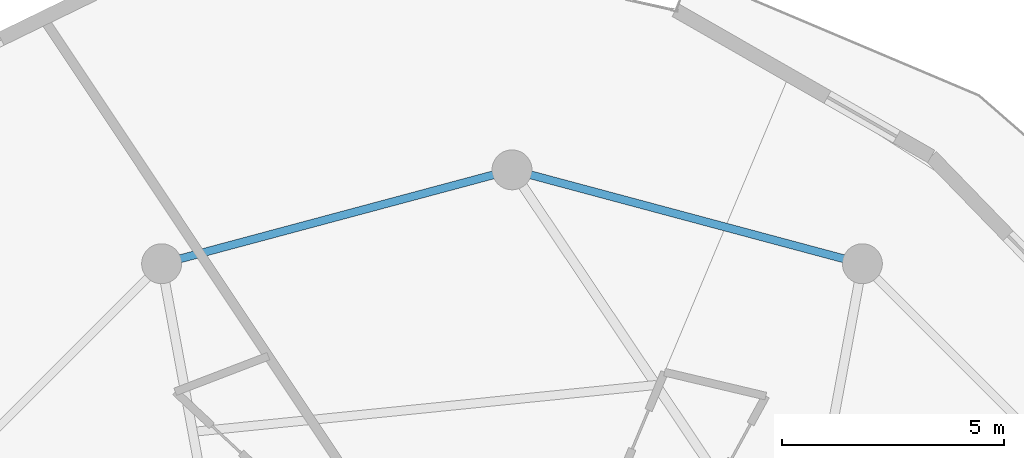
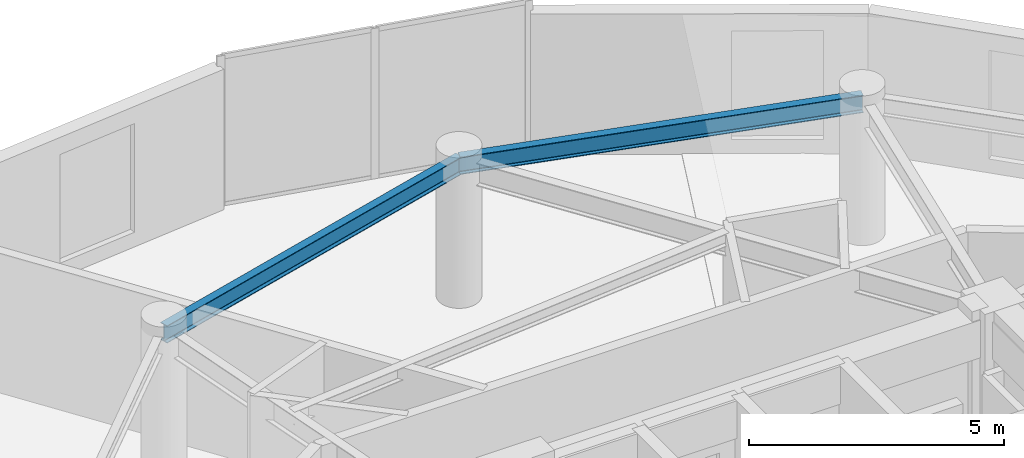
# One storey, part 15 of 23: 2 beams.
"""IFC4 building model written with IfcOpenShell, lengths in metres."""

import ifcopenshell
import ifcopenshell.guid

model = None  # the IFC model being written
_history = None  # IfcOwnerHistory: only IFC2X3 demands one
_inside = {}  # id of a spatial element -> (the spatial element, [elements in it])
_under = {}  # id of a project, library or spatial element -> (it, [spatial elements below it])
_declared = {}  # id of a project -> (the project, [libraries it declares])
_typed = {}  # id of a type object -> (the type object, [elements of that type])
_made_of = {}  # id of a material, layer set ... -> (it, [elements and type objects made of it])


def new_model(schema):
    """Start an empty IFC model of exactly this schema.

    Asked for "IFC4X3", IfcOpenShell would pick the latest addendum, in which some entities
    have other attributes; the version numbers below select the first issue.
    IFC2X3 requires an IfcOwnerHistory on every rooted entity: one is made here for all.
    """
    global model, _history
    if schema == "IFC4X3":
        model = ifcopenshell.file(schema_version=(4, 3, 0, 0))
    else:
        model = ifcopenshell.file(schema=schema)
    _inside.clear()
    _under.clear()
    _declared.clear()
    _typed.clear()
    _made_of.clear()
    _history = None
    if model.schema == "IFC2X3":
        org = make("IfcOrganization", Name="unknown")
        user = make(
            "IfcPersonAndOrganization",
            ThePerson=make("IfcPerson", FamilyName="unknown"),
            TheOrganization=org,
        )
        app = make(
            "IfcApplication",
            ApplicationDeveloper=org,
            Version="unknown",
            ApplicationFullName="unknown",
            ApplicationIdentifier="unknown",
        )
        _history = make(
            "IfcOwnerHistory",
            OwningUser=user,
            OwningApplication=app,
            ChangeAction="ADDED",
            CreationDate=0,
        )
    return model


def make(cls, **values):
    """One entity of the class cls with the attributes given. An attribute that is None is left unset."""
    return model.create_entity(
        cls, **{name: value for name, value in values.items() if value is not None}
    )


def rooted(cls, **values):
    """An entity with a GlobalId (a new one), such as an element, a storey or a relation."""
    return make(cls, GlobalId=ifcopenshell.guid.new(), OwnerHistory=_history, **values)


def si_unit(unit_type, name, prefix=None):
    """IfcSIUnit, for example si_unit("LENGTHUNIT", "METRE", prefix="MILLI")."""
    return make("IfcSIUnit", UnitType=unit_type, Prefix=prefix, Name=name)


def assignment(units):
    """IfcUnitAssignment: the units of a project."""
    return None if units is None else make("IfcUnitAssignment", Units=units)


def point(xyz):
    """IfcCartesianPoint."""
    return None if xyz is None else make("IfcCartesianPoint", Coordinates=xyz)


def direction(xyz):
    """IfcDirection."""
    return None if xyz is None else make("IfcDirection", DirectionRatios=xyz)


def frame(location, z_axis=None, x_axis=None):
    """IfcAxis2Placement3D, a coordinate frame: its origin and axes. An axis left out is left unset."""
    return make(
        "IfcAxis2Placement3D",
        Location=point(location),
        Axis=direction(z_axis),
        RefDirection=direction(x_axis),
    )


def frame_2d(location, x_axis=None):
    """IfcAxis2Placement2D, a coordinate frame in the plane: its origin and x axis."""
    return make(
        "IfcAxis2Placement2D", Location=point(location), RefDirection=direction(x_axis)
    )


def origin():
    """The frame at (0, 0, 0) with its axes left unset."""
    return frame((0.0, 0.0, 0.0))


def origin_2d():
    """The frame at (0, 0) in the plane with its x axis left unset."""
    return frame_2d((0.0, 0.0))


def place(relative_to, where):
    """IfcLocalPlacement: puts the frame where relative to a parent placement (None: the world)."""
    return make(
        "IfcLocalPlacement", PlacementRelTo=relative_to, RelativePlacement=where
    )


def context(
    kind, dimensions, precision=None, world=None, true_north=None, identifier=None
):
    """IfcGeometricRepresentationContext, for example the 3D "Model" context."""
    return make(
        "IfcGeometricRepresentationContext",
        ContextIdentifier=identifier,
        ContextType=kind,
        CoordinateSpaceDimension=dimensions,
        Precision=precision,
        WorldCoordinateSystem=world,
        TrueNorth=true_north,
    )


def subcontext(parent, identifier, kind, view, scale=None):
    """IfcGeometricRepresentationSubContext, for example "Body" below "Model"."""
    return make(
        "IfcGeometricRepresentationSubContext",
        ContextIdentifier=identifier,
        ContextType=kind,
        ParentContext=parent,
        TargetScale=scale,
        TargetView=view,
    )


def project(units=None, contexts=None):
    """IfcProject with its units and contexts."""
    return rooted(
        "IfcProject",
        Name="project",
        RepresentationContexts=contexts,
        UnitsInContext=assignment(units),
    )


def spatial(cls, under=None, at=None, **own):
    """A site, building, storey or space (cls), placed at a placement, below another one or the project."""
    s = rooted(cls, ObjectPlacement=at, **own)
    if under is not None:
        _under.setdefault(under.id(), (under, []))[1].append(s)
    return s


def profile(cls, at=None, kind="AREA", **sizes):
    """A parametric profile (cls). Its sizes go by their IFC names, for example OverallWidth=200.0."""
    return make(cls, ProfileType=kind, Position=at, **sizes)


def i_section(**sizes):
    """IfcIShapeProfileDef."""
    return profile("IfcIShapeProfileDef", **sizes)


def extrude(swept, where, along, depth):
    """IfcExtrudedAreaSolid: the profile swept, set in the frame where, extruded along a direction by depth."""
    return make(
        "IfcExtrudedAreaSolid",
        SweptArea=swept,
        Position=where,
        ExtrudedDirection=direction(along),
        Depth=depth,
    )


def shape(context_of_items, identifier, shape_type, items):
    """IfcShapeRepresentation: the items that make up one representation, for example the "Body"."""
    return make(
        "IfcShapeRepresentation",
        ContextOfItems=context_of_items,
        RepresentationIdentifier=identifier,
        RepresentationType=shape_type,
        Items=items,
    )


def material(Name=None, Category=None):
    """IfcMaterial."""
    return make("IfcMaterial", Name=Name, Category=Category)


def material_profile(
    of_material, cross_section, Name=None, Category=None, Priority=None
):
    """IfcMaterialProfile: a cross section and its material."""
    return make(
        "IfcMaterialProfile",
        Name=Name,
        Material=of_material,
        Profile=cross_section,
        Priority=Priority,
        Category=Category,
    )


def profile_set(profiles, Name=None, composite=None):
    """IfcMaterialProfileSet."""
    return make(
        "IfcMaterialProfileSet",
        Name=Name,
        MaterialProfiles=profiles,
        CompositeProfile=composite,
    )


def made_of(thing, what):
    """Note that an element or type object is made of a material, layer set ...; save() writes the relation."""
    if what is not None:
        _made_of.setdefault(what.id(), (what, []))[1].append(thing)
    return thing


def type_object(cls, material=None, **own):
    """A type object (cls), such as IfcWallType, which elements share."""
    return made_of(rooted(cls, **own), material)


def element(
    cls,
    number,
    at=None,
    inside=None,
    cuts=None,
    type_object=None,
    material=None,
    context=None,
    identifier="Body",
    shape_type=None,
    held_by="IfcProductDefinitionShape",
    body=None,
    shapes=None,
    **own,
):
    """One element of the class cls, such as IfcWall. Its Tag is "e" and its number.

    at: its placement. inside: the storey or other place that contains it. cuts: it is an
    opening in that element (IfcRelVoidsElement). A single representation is given by context,
    identifier, shape_type and body (its items); several are given by shapes. held_by: the class
    of the entity that holds the representations. save() writes the other relations.
    """
    e = rooted(cls, Tag="e%d" % number, ObjectPlacement=at, **own)
    if body is not None:
        shapes = [shape(context, identifier, shape_type, body)]
    if shapes is not None:
        e.Representation = make(held_by, Representations=shapes)
    if inside is not None:
        _inside.setdefault(inside.id(), (inside, []))[1].append(e)
    if cuts is not None:
        rooted(
            "IfcRelVoidsElement", RelatingBuildingElement=cuts, RelatedOpeningElement=e
        )
    if type_object is not None:
        _typed.setdefault(type_object.id(), (type_object, []))[1].append(e)
    return made_of(e, material)


def aggregate(whole, parts):
    """IfcRelAggregates: a whole, such as a stair, and the parts it consists of."""
    return rooted("IfcRelAggregates", RelatingObject=whole, RelatedObjects=parts)


def save(model, path):
    """Write the relations noted so far, then the file.

    IfcRelAggregates (storeys below a building ...), IfcRelContainedInSpatialStructure (elements
    in a storey), IfcRelDefinesByType, IfcRelAssociatesMaterial and IfcRelDeclares: one each for
    every whole, place, type object, material and project.
    """
    for whole, parts in _under.values():
        aggregate(whole, parts)
    for where, things in _inside.values():
        rooted(
            "IfcRelContainedInSpatialStructure",
            RelatedElements=things,
            RelatingStructure=where,
        )
    for kind, things in _typed.values():
        rooted("IfcRelDefinesByType", RelatedObjects=things, RelatingType=kind)
    for what, things in _made_of.values():
        rooted("IfcRelAssociatesMaterial", RelatedObjects=things, RelatingMaterial=what)
    for by, libraries in _declared.values():
        rooted("IfcRelDeclares", RelatingContext=by, RelatedDefinitions=libraries)
    model.write(path)


model = new_model("IFC4")

# Units and contexts
model_context = context("Model", 3, precision=1e-05, world=origin(), true_north=direction((0.0, 1.0)))
body_context = subcontext(model_context, "Body", "Model", "MODEL_VIEW")
ifc_project = project(units=[si_unit("LENGTHUNIT", "METRE"), si_unit("AREAUNIT", "SQUARE_METRE"), si_unit("VOLUMEUNIT", "CUBIC_METRE"), si_unit("PLANEANGLEUNIT", "RADIAN"), si_unit("MASSUNIT", "GRAM", prefix="KILO")], contexts=[model_context])

# Site, building, storey
site_placement = place(None, origin())
site = spatial("IfcSite", under=ifc_project, at=site_placement, CompositionType="ELEMENT")
building_placement = place(site_placement, origin())
building = spatial("IfcBuilding", under=site, at=building_placement, Name="Solvirekh Grand Hotel", CompositionType="ELEMENT")
storey_placement = place(building_placement, frame((0.0, 0.0, 173.199951171875)))
storey = spatial("IfcBuildingStorey", under=building, at=storey_placement, Name="L44", CompositionType="ELEMENT", Elevation=173.199951171875)

# Beams
ifc_material = material(Name="Steel S355", Category="steel")
ifc_material_profile = material_profile(ifc_material, i_section(OverallWidth=0.180908203125, OverallDepth=0.4169921875, WebThickness=0.010009765625, FlangeThickness=0.01611328125, FilletRadius=0.011962890625, at=origin_2d()), Name="W410X85")
ifc_profile_set = profile_set([ifc_material_profile], Name="Steel S355")
beam_type = type_object("IfcBeamType", Name="Spandrel_Ring_W410", PredefinedType="SPANDREL", material=ifc_profile_set)
for number, where, z_axis, x_axis, name in (
    (1, (7.89990234375, 13.68310546875, 3.152099609375), (-0.965920601923, 0.258838541915, 0.0), (-0.258838541915, -0.965920601923, 0.0), "L44 perimeter spandrel beam 3"),
    (2, (0.0, 15.800048828125, 3.152099609375), (-0.965920601923, -0.258838541915, 0.0), (0.258838541915, -0.965920601923, 0.0), "L44 perimeter spandrel beam 4"),
):
    element("IfcBeam", number, at=place(storey_placement, frame(where, z_axis=z_axis, x_axis=x_axis)), inside=storey, type_object=beam_type, Name=name, PredefinedType="SPANDREL", context=body_context, shape_type="SweptSolid", body=[
        extrude(i_section(OverallWidth=0.180908203125, OverallDepth=0.4169921875, WebThickness=0.010009765625, FlangeThickness=0.01611328125, FilletRadius=0.011962890625, at=origin_2d()), origin(), (0.0, 0.0, 1.0), 8.1787109375),
    ])

save(model, "model.ifc")
